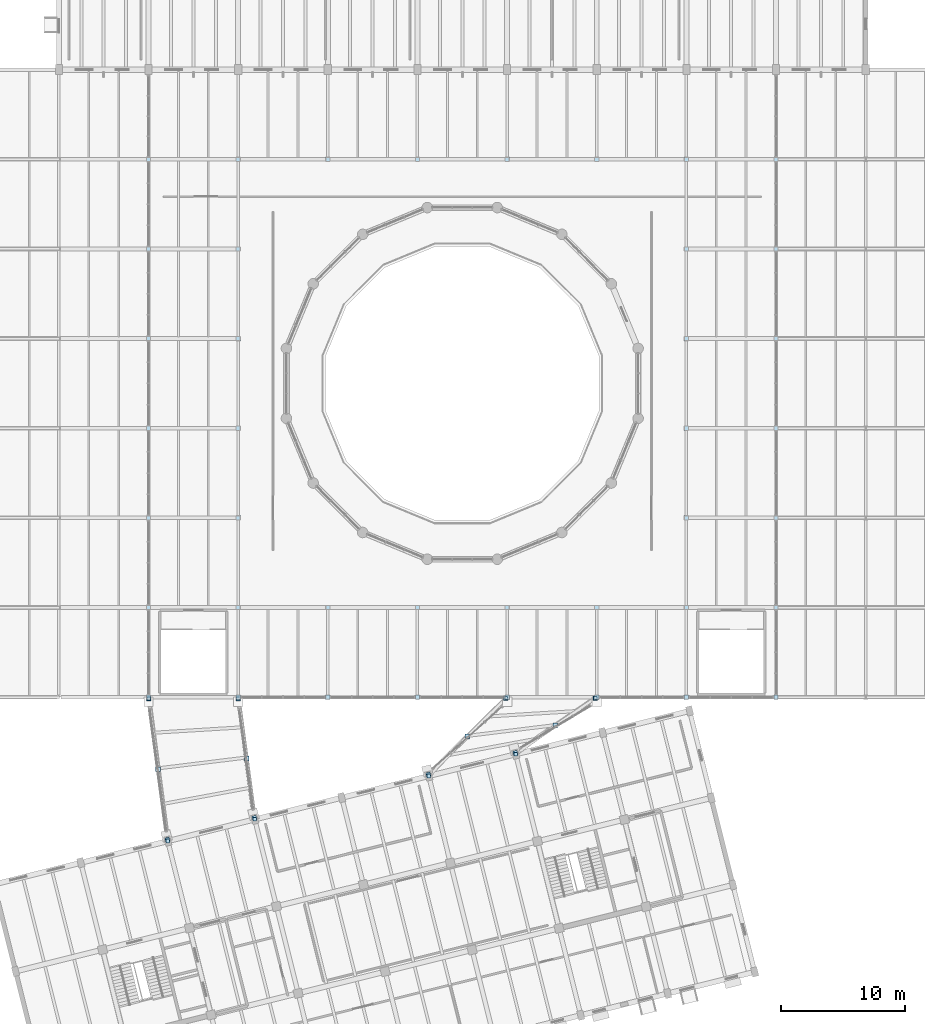
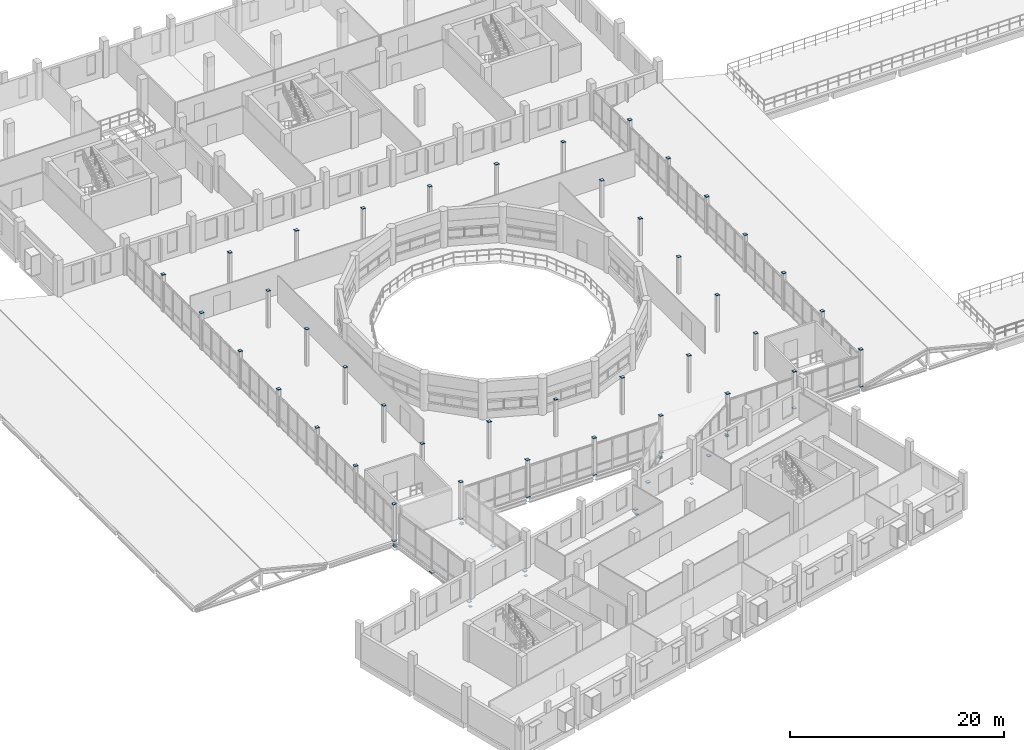
# One storey, part 45 of 63: 68 plates.
"""IFC4 building model written with IfcOpenShell, lengths in metres."""

from ifc_helpers import new_model, si_unit, direction, frame, origin, origin_2d, place, context, subcontext, project, spatial, rectangle, extrude, material, layer, layer_set, type_object, element, save


model = new_model("IFC4")

# Units and contexts
model_context = context("Model", 3, precision=1e-05, world=origin(), true_north=direction((0.0, 1.0)))
body_context = subcontext(model_context, "Body", "Model", "MODEL_VIEW")
ifc_project = project(units=[si_unit("LENGTHUNIT", "METRE"), si_unit("AREAUNIT", "SQUARE_METRE"), si_unit("VOLUMEUNIT", "CUBIC_METRE"), si_unit("PLANEANGLEUNIT", "RADIAN"), si_unit("MASSUNIT", "GRAM", prefix="KILO")], contexts=[model_context])

# Site, building, storey
site_placement = place(None, origin())
site = spatial("IfcSite", under=ifc_project, at=site_placement, CompositionType="ELEMENT")
building_placement = place(site_placement, origin())
building = spatial("IfcBuilding", under=site, at=building_placement, Name="Qiaolan Assembly House", CompositionType="ELEMENT")
storey_placement = place(building_placement, frame((0.0, 0.0, 14.39990234375)))
storey = spatial("IfcBuildingStorey", under=building, at=storey_placement, Name="L03", CompositionType="ELEMENT", Elevation=14.39990234375)

# Plates
ifc_material = material(Name="Steel Q355B", Category="steel")
ifc_layer_1 = layer(ifc_material, 0.02001953125)
ifc_layer_set_1 = layer_set([ifc_layer_1], Name="Steel Q355B")
plate_type_1 = type_object("IfcPlateType", Name="PLT-CAP-STL-20", PredefinedType="SHEET", material=ifc_layer_set_1)
for number, where, z_axis, x_axis, name in (
    (1, (43.199951171875, 36.0, -0.010009765625), (0.0, 0.0, 1.0), (1.0, 0.0, 0.0), "NP-04 steel hollow-section seal cap plate 153"),
    (2, (43.199951171875, 36.0, 4.190185546875), (0.0, 0.0, 1.0), (1.0, 0.0, 0.0), "NP-04 steel hollow-section seal cap plate 154"),
    (3, (43.199951171875, 43.199951171875, 4.190185546875), (0.0, 0.0, 1.0), (1.0, 0.0, 0.0), "NP-04 steel hollow-section seal cap plate 155"),
    (4, (43.199951171875, 50.39990234375, 4.190185546875), (0.0, 0.0, 1.0), (1.0, 0.0, 0.0), "NP-04 steel hollow-section seal cap plate 156"),
    (5, (43.199951171875, 57.60009765625, 4.190185546875), (0.0, 0.0, 1.0), (1.0, 0.0, 0.0), "NP-04 steel hollow-section seal cap plate 157"),
    (6, (43.199951171875, 64.800048828125, 4.190185546875), (0.0, 0.0, 1.0), (1.0, 0.0, 0.0), "NP-04 steel hollow-section seal cap plate 158"),
    (7, (43.199951171875, 72.0, 4.190185546875), (0.0, 0.0, 1.0), (1.0, 0.0, 0.0), "NP-04 steel hollow-section seal cap plate 159"),
    (8, (43.199951171875, 79.199951171875, 4.190185546875), (0.0, 0.0, 1.0), (1.0, 0.0, 0.0), "NP-04 steel hollow-section seal cap plate 160"),
    (9, (50.39990234375, 36.0, -0.010009765625), (0.0, 0.0, 1.0), (1.0, 0.0, 0.0), "NP-04 steel hollow-section seal cap plate 161"),
    (10, (50.39990234375, 36.0, 4.190185546875), (0.0, 0.0, 1.0), (1.0, 0.0, 0.0), "NP-04 steel hollow-section seal cap plate 162"),
    (11, (50.39990234375, 43.199951171875, 4.190185546875), (0.0, 0.0, 1.0), (1.0, 0.0, 0.0), "NP-04 steel hollow-section seal cap plate 163"),
    (12, (50.39990234375, 50.39990234375, 4.190185546875), (0.0, 0.0, 1.0), (1.0, 0.0, 0.0), "NP-04 steel hollow-section seal cap plate 164"),
    (13, (50.39990234375, 57.60009765625, 4.190185546875), (0.0, 0.0, 1.0), (1.0, 0.0, 0.0), "NP-04 steel hollow-section seal cap plate 165"),
    (14, (50.39990234375, 64.800048828125, 4.190185546875), (0.0, 0.0, 1.0), (1.0, 0.0, 0.0), "NP-04 steel hollow-section seal cap plate 166"),
    (15, (50.39990234375, 72.0, 4.190185546875), (0.0, 0.0, 1.0), (1.0, 0.0, 0.0), "NP-04 steel hollow-section seal cap plate 167"),
    (16, (50.39990234375, 79.199951171875, 4.190185546875), (0.0, 0.0, 1.0), (1.0, 0.0, 0.0), "NP-04 steel hollow-section seal cap plate 168"),
    (17, (57.60009765625, 36.0, -0.010009765625), (0.0, 0.0, 1.0), (1.0, 0.0, 0.0), "NP-04 steel hollow-section seal cap plate 169"),
    (18, (57.60009765625, 36.0, 4.190185546875), (0.0, 0.0, 1.0), (1.0, 0.0, 0.0), "NP-04 steel hollow-section seal cap plate 170"),
    (19, (57.60009765625, 43.199951171875, 4.190185546875), (0.0, 0.0, 1.0), (1.0, 0.0, 0.0), "NP-04 steel hollow-section seal cap plate 171"),
    (20, (57.60009765625, 79.199951171875, 4.190185546875), (0.0, 0.0, 1.0), (1.0, 0.0, 0.0), "NP-04 steel hollow-section seal cap plate 172"),
    (21, (64.800048828125, 36.0, -0.010009765625), (0.0, 0.0, 1.0), (1.0, 0.0, 0.0), "NP-04 steel hollow-section seal cap plate 173"),
    (22, (64.800048828125, 36.0, 4.190185546875), (0.0, 0.0, 1.0), (1.0, 0.0, 0.0), "NP-04 steel hollow-section seal cap plate 174"),
    (23, (64.800048828125, 43.199951171875, 4.190185546875), (0.0, 0.0, 1.0), (1.0, 0.0, 0.0), "NP-04 steel hollow-section seal cap plate 175"),
    (24, (64.800048828125, 79.199951171875, 4.190185546875), (0.0, 0.0, 1.0), (1.0, 0.0, 0.0), "NP-04 steel hollow-section seal cap plate 176"),
    (25, (72.0, 36.0, -0.010009765625), (0.0, 0.0, 1.0), (1.0, 0.0, 0.0), "NP-04 steel hollow-section seal cap plate 177"),
    (26, (72.0, 36.0, 4.190185546875), (0.0, 0.0, 1.0), (1.0, 0.0, 0.0), "NP-04 steel hollow-section seal cap plate 178"),
    (27, (72.0, 43.199951171875, 4.190185546875), (0.0, 0.0, 1.0), (1.0, 0.0, 0.0), "NP-04 steel hollow-section seal cap plate 179"),
    (28, (72.0, 79.199951171875, 4.190185546875), (0.0, 0.0, 1.0), (1.0, 0.0, 0.0), "NP-04 steel hollow-section seal cap plate 180"),
    (29, (79.199951171875, 36.0, -0.010009765625), (0.0, 0.0, 1.0), (1.0, 0.0, 0.0), "NP-04 steel hollow-section seal cap plate 181"),
    (30, (79.199951171875, 36.0, 4.190185546875), (0.0, 0.0, 1.0), (1.0, 0.0, 0.0), "NP-04 steel hollow-section seal cap plate 182"),
    (31, (79.199951171875, 43.199951171875, 4.190185546875), (0.0, 0.0, 1.0), (1.0, 0.0, 0.0), "NP-04 steel hollow-section seal cap plate 183"),
    (32, (79.199951171875, 79.199951171875, 4.190185546875), (0.0, 0.0, 1.0), (1.0, 0.0, 0.0), "NP-04 steel hollow-section seal cap plate 184"),
    (33, (86.39990234375, 36.0, -0.010009765625), (0.0, 0.0, 1.0), (1.0, 0.0, 0.0), "NP-04 steel hollow-section seal cap plate 185"),
    (34, (86.39990234375, 36.0, 4.190185546875), (0.0, 0.0, 1.0), (1.0, 0.0, 0.0), "NP-04 steel hollow-section seal cap plate 186"),
    (35, (86.39990234375, 43.199951171875, 4.190185546875), (0.0, 0.0, 1.0), (1.0, 0.0, 0.0), "NP-04 steel hollow-section seal cap plate 187"),
    (36, (86.39990234375, 50.39990234375, 4.190185546875), (0.0, 0.0, 1.0), (1.0, 0.0, 0.0), "NP-04 steel hollow-section seal cap plate 188"),
    (37, (86.39990234375, 57.60009765625, 4.190185546875), (0.0, 0.0, 1.0), (1.0, 0.0, 0.0), "NP-04 steel hollow-section seal cap plate 189"),
    (38, (86.39990234375, 64.800048828125, 4.190185546875), (0.0, 0.0, 1.0), (1.0, 0.0, 0.0), "NP-04 steel hollow-section seal cap plate 190"),
    (39, (86.39990234375, 72.0, 4.190185546875), (0.0, 0.0, 1.0), (1.0, 0.0, 0.0), "NP-04 steel hollow-section seal cap plate 191"),
    (40, (86.39990234375, 79.199951171875, 4.190185546875), (0.0, 0.0, 1.0), (1.0, 0.0, 0.0), "NP-04 steel hollow-section seal cap plate 192"),
    (41, (93.60009765625, 36.0, -0.010009765625), (0.0, 0.0, 1.0), (1.0, 0.0, 0.0), "NP-04 steel hollow-section seal cap plate 193"),
    (42, (93.60009765625, 36.0, 4.190185546875), (0.0, 0.0, 1.0), (1.0, 0.0, 0.0), "NP-04 steel hollow-section seal cap plate 194"),
    (43, (93.60009765625, 43.199951171875, 4.190185546875), (0.0, 0.0, 1.0), (1.0, 0.0, 0.0), "NP-04 steel hollow-section seal cap plate 195"),
    (44, (93.60009765625, 50.39990234375, 4.190185546875), (0.0, 0.0, 1.0), (1.0, 0.0, 0.0), "NP-04 steel hollow-section seal cap plate 196"),
    (45, (93.60009765625, 57.60009765625, 4.190185546875), (0.0, 0.0, 1.0), (1.0, 0.0, 0.0), "NP-04 steel hollow-section seal cap plate 197"),
    (46, (93.60009765625, 64.800048828125, 4.190185546875), (0.0, 0.0, 1.0), (1.0, 0.0, 0.0), "NP-04 steel hollow-section seal cap plate 198"),
    (47, (93.60009765625, 72.0, 4.190185546875), (0.0, 0.0, 1.0), (1.0, 0.0, 0.0), "NP-04 steel hollow-section seal cap plate 199"),
    (48, (93.60009765625, 79.199951171875, 4.190185546875), (0.0, 0.0, 1.0), (1.0, 0.0, 0.0), "NP-04 steel hollow-section seal cap plate 200"),
):
    element("IfcPlate", number, at=place(storey_placement, frame(where, z_axis=z_axis, x_axis=x_axis)), inside=storey, type_object=plate_type_1, Name=name, PredefinedType="SHEET", context=body_context, shape_type="SweptSolid", body=[
        extrude(rectangle(XDim=0.35009765625, YDim=0.35009765625, at=origin_2d()), origin(), (0.0, 0.0, 1.0), 0.02001953125),
    ])
for number, where, z_axis, x_axis, name in (
    (49, (44.746826171875, 24.442138671875, -1.060791015625), (0.0, 0.0, 1.0), (1.0, 0.0, 0.0), "NP-04 steel hollow-section seal cap plate 239"),
    (50, (43.218505859375, 35.861328125, -0.375), (0.0, 0.0, 1.0), (1.0, 0.0, 0.0), "NP-04 steel hollow-section seal cap plate 240"),
    (51, (51.73291015625, 26.183837890625, -1.060791015625), (0.0, 0.0, 1.0), (1.0, 0.0, 0.0), "NP-04 steel hollow-section seal cap plate 241"),
    (52, (50.418701171875, 35.861328125, -0.375), (0.0, 0.0, 1.0), (1.0, 0.0, 0.0), "NP-04 steel hollow-section seal cap plate 242"),
    (53, (65.705078125, 29.66748046875, -1.060791015625), (0.0, 0.0, 1.0), (1.0, 0.0, 0.0), "NP-04 steel hollow-section seal cap plate 243"),
    (54, (71.900146484375, 35.90185546875, -0.375), (0.0, 0.0, 1.0), (1.0, 0.0, 0.0), "NP-04 steel hollow-section seal cap plate 244"),
    (55, (72.691162109375, 31.409423828125, -1.060791015625), (0.0, 0.0, 1.0), (1.0, 0.0, 0.0), "NP-04 steel hollow-section seal cap plate 245"),
    (56, (79.08447265625, 35.9208984375, -0.375), (0.0, 0.0, 1.0), (1.0, 0.0, 0.0), "NP-04 steel hollow-section seal cap plate 246"),
):
    element("IfcPlate", number, at=place(storey_placement, frame(where, z_axis=z_axis, x_axis=x_axis)), inside=storey, type_object=plate_type_1, Name=name, PredefinedType="SHEET", context=body_context, shape_type="SweptSolid", body=[
        extrude(rectangle(XDim=0.2900390625, YDim=0.2900390625, at=origin_2d()), origin(), (0.0, 0.0, 1.0), 0.02001953125),
    ])
ifc_layer_2 = layer(ifc_material, 0.02490234375)
ifc_layer_set_2 = layer_set([ifc_layer_2], Name="Steel Q355B")
plate_type_2 = type_object("IfcPlateType", Name="PLT-SEAT-PTFE-450", PredefinedType="SHEET", material=ifc_layer_set_2)
for number, where, z_axis, x_axis, name in (
    (57, (44.7177734375, 24.55859375, -0.57568359375), (0.0, 0.0, 1.0), (0.970295726276, 0.2419218956, 0.0), "NP-03 unguided PTFE elastomeric sliding bearing WB L03 SE"),
    (58, (43.218505859375, 35.861328125, -0.57568359375), (0.0, 0.0, 1.0), (1.0, 0.0, 0.0), "NP-03 unguided PTFE elastomeric sliding bearing WB L03 HL"),
):
    element("IfcPlate", number, at=place(storey_placement, frame(where, z_axis=z_axis, x_axis=x_axis)), inside=storey, type_object=plate_type_2, Name=name, PredefinedType="SHEET", context=body_context, shape_type="SweptSolid", body=[
        extrude(rectangle(XDim=0.35009765625, YDim=0.35009765625, at=origin_2d()), origin(), (0.0, 0.0, 1.0), 0.035888671875),
    ])
plate_1_placement = place(storey_placement, frame((43.968017578125, 30.2099609375, -0.37890625), z_axis=(0.0, 0.0, 1.0), x_axis=(1.0, 0.0, 0.0)))
element("IfcPlate", 59, at=plate_1_placement, inside=storey, type_object=plate_type_2, Name="NP-03 skybridge brace gusset node plate WB L03", PredefinedType="SHEET", context=body_context, shape_type="SweptSolid", body=[
    extrude(rectangle(XDim=0.3798828125, YDim=0.3798828125, at=origin_2d()), origin(), (0.0, 0.0, 1.0), 0.028076171875),
])
for number, where, z_axis, x_axis, name in (
    (60, (51.703857421875, 26.30029296875, -0.57568359375), (0.0, 0.0, 1.0), (0.970295726276, 0.2419218956, 0.0), "NP-03 unguided PTFE elastomeric sliding bearing WB L03 SE"),
    (61, (50.418701171875, 35.861328125, -0.57568359375), (0.0, 0.0, 1.0), (1.0, 0.0, 0.0), "NP-03 unguided PTFE elastomeric sliding bearing WB L03 HL"),
):
    element("IfcPlate", number, at=place(storey_placement, frame(where, z_axis=z_axis, x_axis=x_axis)), inside=storey, type_object=plate_type_2, Name=name, PredefinedType="SHEET", context=body_context, shape_type="SweptSolid", body=[
        extrude(rectangle(XDim=0.35009765625, YDim=0.35009765625, at=origin_2d()), origin(), (0.0, 0.0, 1.0), 0.035888671875),
    ])
plate_2_placement = place(storey_placement, frame((51.061279296875, 31.080810546875, -0.37890625), z_axis=(0.0, 0.0, 1.0), x_axis=(1.0, 0.0, 0.0)))
element("IfcPlate", 62, at=plate_2_placement, inside=storey, type_object=plate_type_2, Name="NP-03 skybridge brace gusset node plate WB L03", PredefinedType="SHEET", context=body_context, shape_type="SweptSolid", body=[
    extrude(rectangle(XDim=0.3798828125, YDim=0.3798828125, at=origin_2d()), origin(), (0.0, 0.0, 1.0), 0.028076171875),
])
for number, where, z_axis, x_axis, name in (
    (63, (65.676025390625, 29.783935546875, -0.57568359375), (0.0, 0.0, 1.0), (0.970295726276, 0.2419218956, 0.0), "NP-03 unguided PTFE elastomeric sliding bearing EB L03 SE"),
    (64, (71.900146484375, 35.90185546875, -0.57568359375), (0.0, 0.0, 1.0), (1.0, 0.0, 0.0), "NP-03 unguided PTFE elastomeric sliding bearing EB L03 HL"),
):
    element("IfcPlate", number, at=place(storey_placement, frame(where, z_axis=z_axis, x_axis=x_axis)), inside=storey, type_object=plate_type_2, Name=name, PredefinedType="SHEET", context=body_context, shape_type="SweptSolid", body=[
        extrude(rectangle(XDim=0.35009765625, YDim=0.35009765625, at=origin_2d()), origin(), (0.0, 0.0, 1.0), 0.035888671875),
    ])
plate_3_placement = place(storey_placement, frame((68.7880859375, 32.843017578125, -0.37890625), z_axis=(0.0, 0.0, 1.0), x_axis=(1.0, 0.0, 0.0)))
element("IfcPlate", 65, at=plate_3_placement, inside=storey, type_object=plate_type_2, Name="NP-03 skybridge brace gusset node plate EB L03", PredefinedType="SHEET", context=body_context, shape_type="SweptSolid", body=[
    extrude(rectangle(XDim=0.3798828125, YDim=0.3798828125, at=origin_2d()), origin(), (0.0, 0.0, 1.0), 0.028076171875),
])
for number, where, z_axis, x_axis, name in (
    (66, (72.662353515625, 31.52587890625, -0.57568359375), (0.0, 0.0, 1.0), (0.970295726276, 0.2419218956, 0.0), "NP-03 unguided PTFE elastomeric sliding bearing EB L03 SE"),
    (67, (79.08447265625, 35.9208984375, -0.57568359375), (0.0, 0.0, 1.0), (1.0, 0.0, 0.0), "NP-03 unguided PTFE elastomeric sliding bearing EB L03 HL"),
):
    element("IfcPlate", number, at=place(storey_placement, frame(where, z_axis=z_axis, x_axis=x_axis)), inside=storey, type_object=plate_type_2, Name=name, PredefinedType="SHEET", context=body_context, shape_type="SweptSolid", body=[
        extrude(rectangle(XDim=0.35009765625, YDim=0.35009765625, at=origin_2d()), origin(), (0.0, 0.0, 1.0), 0.035888671875),
    ])
plate_4_placement = place(storey_placement, frame((75.873291015625, 33.723388671875, -0.37890625), z_axis=(0.0, 0.0, 1.0), x_axis=(1.0, 0.0, 0.0)))
element("IfcPlate", 68, at=plate_4_placement, inside=storey, type_object=plate_type_2, Name="NP-03 skybridge brace gusset node plate EB L03", PredefinedType="SHEET", context=body_context, shape_type="SweptSolid", body=[
    extrude(rectangle(XDim=0.3798828125, YDim=0.3798828125, at=origin_2d()), origin(), (0.0, 0.0, 1.0), 0.028076171875),
])

save(model, "model.ifc")
